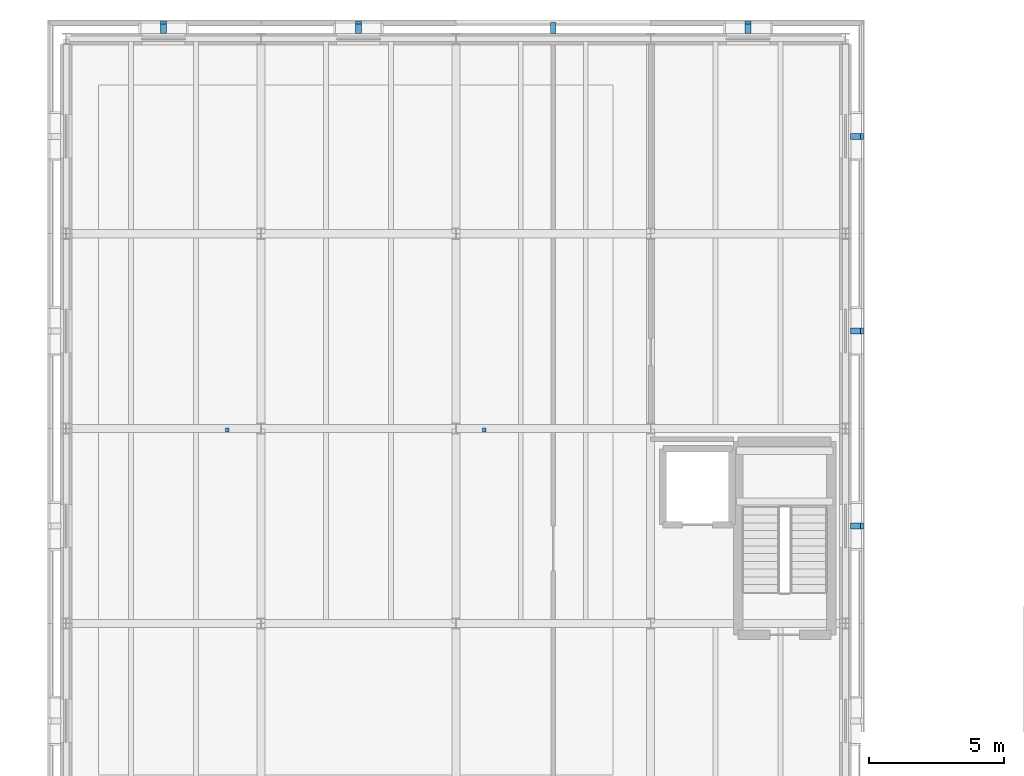
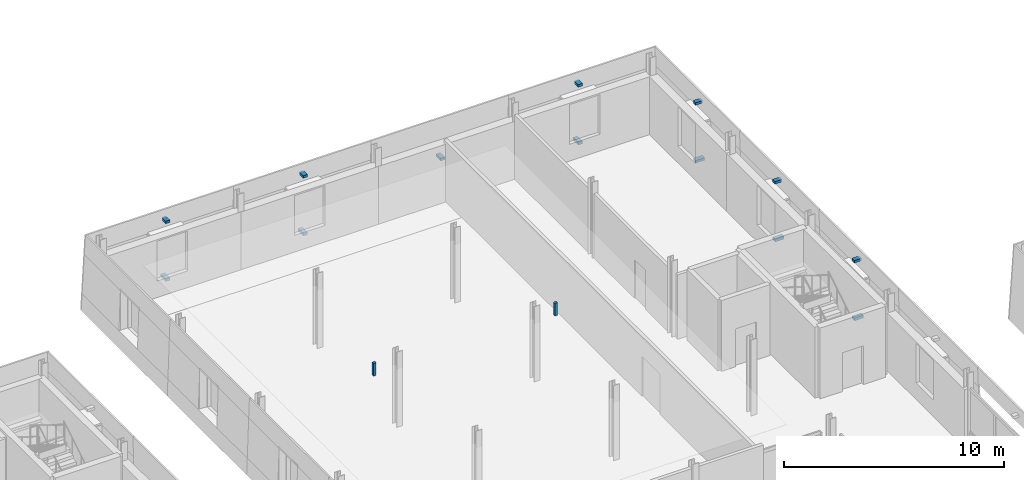
# One storey, part 84 of 115: 15 discrete accessories.
"""IFC4 building model written with IfcOpenShell, lengths in metres."""

from ifc_helpers import new_model, si_unit, direction, frame, origin, origin_2d, place, context, subcontext, project, spatial, rectangle, extrude, material, layer, layer_set, type_object, element, save


model = new_model("IFC4")

# Units and contexts
model_context = context("Model", 3, precision=1e-05, world=origin(), true_north=direction((0.0, 1.0)))
body_context = subcontext(model_context, "Body", "Model", "MODEL_VIEW")
ifc_project = project(units=[si_unit("LENGTHUNIT", "METRE"), si_unit("AREAUNIT", "SQUARE_METRE"), si_unit("VOLUMEUNIT", "CUBIC_METRE"), si_unit("PLANEANGLEUNIT", "RADIAN"), si_unit("MASSUNIT", "GRAM", prefix="KILO")], contexts=[model_context])

# Site, building, storey
site_placement = place(None, origin())
site = spatial("IfcSite", under=ifc_project, at=site_placement, CompositionType="ELEMENT")
building_placement = place(site_placement, origin())
building = spatial("IfcBuilding", under=site, at=building_placement, Name="Narikvali Park Central Library", CompositionType="ELEMENT")
storey_placement = place(building_placement, frame((0.0, 0.0, 10.199951171875)))
storey = spatial("IfcBuildingStorey", under=building, at=storey_placement, Name="L02", CompositionType="ELEMENT", Elevation=10.199951171875)

# Discrete accessories
ifc_material_1 = material(Name="Brushed Stainless Steel S355", Category="steel")
ifc_layer_1 = layer(ifc_material_1, 0.139892578125, Name="Brushed Stainless Steel S355")
ifc_layer_set_1 = layer_set([ifc_layer_1], Name="Brushed Stainless Steel S355")
discrete_accessory_type_1 = type_object("IfcDiscreteAccessoryType", Name="Cladding Stainless Tie-Back Corbel Bracket", PredefinedType="BRACKET", material=ifc_layer_set_1)
discrete_accessory_1_placement = place(storey_placement, frame((58.025390625, 97.199951171875, 0.39013671875), z_axis=(0.0, 0.0, 1.0), x_axis=(1.0, 0.0, 0.0)))
element("IfcDiscreteAccessory", 1, at=discrete_accessory_1_placement, inside=storey, type_object=discrete_accessory_type_1, Name="Limestone Cladding Tie-Back Bracket V4-CLD-L02-E-B07-SP", PredefinedType="BRACKET", context=body_context, shape_type="SweptSolid", body=[
    extrude(rectangle(XDim=0.470947265625, YDim=0.219970703125, at=origin_2d()), origin(), (0.0, 0.0, 1.0), 0.139892578125),
])
discrete_accessory_2_placement = place(storey_placement, frame((57.9716796875, 97.199951171875, 3.59033203125), z_axis=(0.0, 0.0, 1.0), x_axis=(1.0, 0.0, 0.0)))
element("IfcDiscreteAccessory", 2, at=discrete_accessory_2_placement, inside=storey, type_object=discrete_accessory_type_1, Name="Limestone Cladding Tie-Back Bracket V4-CLD-L02-E-B07-LN", PredefinedType="BRACKET", context=body_context, shape_type="SweptSolid", body=[
    extrude(rectangle(XDim=0.363037109375, YDim=0.219970703125, at=origin_2d()), origin(), (0.0, 0.0, 1.0), 0.139892578125),
])
discrete_accessory_3_placement = place(storey_placement, frame((58.025390625, 104.39990234375, 0.39013671875), z_axis=(0.0, 0.0, 1.0), x_axis=(1.0, 0.0, 0.0)))
element("IfcDiscreteAccessory", 3, at=discrete_accessory_3_placement, inside=storey, type_object=discrete_accessory_type_1, Name="Limestone Cladding Tie-Back Bracket V4-CLD-L02-E-B08-SP", PredefinedType="BRACKET", context=body_context, shape_type="SweptSolid", body=[
    extrude(rectangle(XDim=0.470947265625, YDim=0.219970703125, at=origin_2d()), origin(), (0.0, 0.0, 1.0), 0.139892578125),
])
discrete_accessory_4_placement = place(storey_placement, frame((57.9716796875, 104.39990234375, 3.59033203125), z_axis=(0.0, 0.0, 1.0), x_axis=(1.0, 0.0, 0.0)))
element("IfcDiscreteAccessory", 4, at=discrete_accessory_4_placement, inside=storey, type_object=discrete_accessory_type_1, Name="Limestone Cladding Tie-Back Bracket V4-CLD-L02-E-B08-LN", PredefinedType="BRACKET", context=body_context, shape_type="SweptSolid", body=[
    extrude(rectangle(XDim=0.363037109375, YDim=0.219970703125, at=origin_2d()), origin(), (0.0, 0.0, 1.0), 0.139892578125),
])
discrete_accessory_5_placement = place(storey_placement, frame((58.025390625, 111.60009765625, 0.39013671875), z_axis=(0.0, 0.0, 1.0), x_axis=(1.0, 0.0, 0.0)))
element("IfcDiscreteAccessory", 5, at=discrete_accessory_5_placement, inside=storey, type_object=discrete_accessory_type_1, Name="Limestone Cladding Tie-Back Bracket V4-CLD-L02-E-B09-SP", PredefinedType="BRACKET", context=body_context, shape_type="SweptSolid", body=[
    extrude(rectangle(XDim=0.470947265625, YDim=0.219970703125, at=origin_2d()), origin(), (0.0, 0.0, 1.0), 0.139892578125),
])
discrete_accessory_6_placement = place(storey_placement, frame((57.9716796875, 111.60009765625, 3.59033203125), z_axis=(0.0, 0.0, 1.0), x_axis=(1.0, 0.0, 0.0)))
element("IfcDiscreteAccessory", 6, at=discrete_accessory_6_placement, inside=storey, type_object=discrete_accessory_type_1, Name="Limestone Cladding Tie-Back Bracket V4-CLD-L02-E-B09-LN", PredefinedType="BRACKET", context=body_context, shape_type="SweptSolid", body=[
    extrude(rectangle(XDim=0.363037109375, YDim=0.219970703125, at=origin_2d()), origin(), (0.0, 0.0, 1.0), 0.139892578125),
])
discrete_accessory_7_placement = place(storey_placement, frame((54.0, 115.62548828125, 0.39013671875), z_axis=(0.0, 0.0, 1.0), x_axis=(1.0, 0.0, 0.0)))
element("IfcDiscreteAccessory", 7, at=discrete_accessory_7_placement, inside=storey, type_object=discrete_accessory_type_1, Name="Limestone Cladding Tie-Back Bracket V4-CLD-L02-N-B01-SP", PredefinedType="BRACKET", context=body_context, shape_type="SweptSolid", body=[
    extrude(rectangle(XDim=0.219970703125, YDim=0.470947265625, at=origin_2d()), origin(), (0.0, 0.0, 1.0), 0.139892578125),
])
discrete_accessory_8_placement = place(storey_placement, frame((54.0, 115.571533203125, 3.59033203125), z_axis=(0.0, 0.0, 1.0), x_axis=(1.0, 0.0, 0.0)))
element("IfcDiscreteAccessory", 8, at=discrete_accessory_8_placement, inside=storey, type_object=discrete_accessory_type_1, Name="Limestone Cladding Tie-Back Bracket V4-CLD-L02-N-B01-LN", PredefinedType="BRACKET", context=body_context, shape_type="SweptSolid", body=[
    extrude(rectangle(XDim=0.219970703125, YDim=0.363037109375, at=origin_2d()), origin(), (0.0, 0.0, 1.0), 0.139892578125),
])
discrete_accessory_9_placement = place(storey_placement, frame((46.800048828125, 115.597900390625, 2.0302734375), z_axis=(0.0, 0.0, 1.0), x_axis=(1.0, 0.0, 0.0)))
element("IfcDiscreteAccessory", 9, at=discrete_accessory_9_placement, inside=storey, type_object=discrete_accessory_type_1, Name="Limestone Cladding Tie-Back Bracket V4-CLD-L02-N-B02-FULL", PredefinedType="BRACKET", context=body_context, shape_type="SweptSolid", body=[
    extrude(rectangle(XDim=0.219970703125, YDim=0.415771484375, at=origin_2d()), origin(), (0.0, 0.0, 1.0), 0.139892578125),
])
discrete_accessory_10_placement = place(storey_placement, frame((39.60009765625, 115.62548828125, 0.39013671875), z_axis=(0.0, 0.0, 1.0), x_axis=(1.0, 0.0, 0.0)))
element("IfcDiscreteAccessory", 10, at=discrete_accessory_10_placement, inside=storey, type_object=discrete_accessory_type_1, Name="Limestone Cladding Tie-Back Bracket V4-CLD-L02-N-B03-SP", PredefinedType="BRACKET", context=body_context, shape_type="SweptSolid", body=[
    extrude(rectangle(XDim=0.219970703125, YDim=0.470947265625, at=origin_2d()), origin(), (0.0, 0.0, 1.0), 0.139892578125),
])
discrete_accessory_11_placement = place(storey_placement, frame((39.60009765625, 115.571533203125, 3.59033203125), z_axis=(0.0, 0.0, 1.0), x_axis=(1.0, 0.0, 0.0)))
element("IfcDiscreteAccessory", 11, at=discrete_accessory_11_placement, inside=storey, type_object=discrete_accessory_type_1, Name="Limestone Cladding Tie-Back Bracket V4-CLD-L02-N-B03-LN", PredefinedType="BRACKET", context=body_context, shape_type="SweptSolid", body=[
    extrude(rectangle(XDim=0.219970703125, YDim=0.363037109375, at=origin_2d()), origin(), (0.0, 0.0, 1.0), 0.139892578125),
])
discrete_accessory_12_placement = place(storey_placement, frame((32.39990234375, 115.62548828125, 0.39013671875), z_axis=(0.0, 0.0, 1.0), x_axis=(1.0, 0.0, 0.0)))
element("IfcDiscreteAccessory", 12, at=discrete_accessory_12_placement, inside=storey, type_object=discrete_accessory_type_1, Name="Limestone Cladding Tie-Back Bracket V4-CLD-L02-N-B04-SP", PredefinedType="BRACKET", context=body_context, shape_type="SweptSolid", body=[
    extrude(rectangle(XDim=0.219970703125, YDim=0.470947265625, at=origin_2d()), origin(), (0.0, 0.0, 1.0), 0.139892578125),
])
discrete_accessory_13_placement = place(storey_placement, frame((32.39990234375, 115.571533203125, 3.59033203125), z_axis=(0.0, 0.0, 1.0), x_axis=(1.0, 0.0, 0.0)))
element("IfcDiscreteAccessory", 13, at=discrete_accessory_13_placement, inside=storey, type_object=discrete_accessory_type_1, Name="Limestone Cladding Tie-Back Bracket V4-CLD-L02-N-B04-LN", PredefinedType="BRACKET", context=body_context, shape_type="SweptSolid", body=[
    extrude(rectangle(XDim=0.219970703125, YDim=0.363037109375, at=origin_2d()), origin(), (0.0, 0.0, 1.0), 0.139892578125),
])
ifc_material_2 = material(Name="Galvanised Steel S355", Category="steel")
ifc_layer_2 = layer(ifc_material_2, 0.7099609375, Name="Galvanised Steel S355")
ifc_layer_set_2 = layer_set([ifc_layer_2], Name="Galvanised Steel S355")
discrete_accessory_type_2 = type_object("IfcDiscreteAccessoryType", Name="Suspended Ceiling Hanger Rod Assembly", PredefinedType="BRACKET", material=ifc_layer_set_2)
for number, where, z_axis, x_axis, name in (
    (14, (34.75, 100.75, 3.22998046875), (0.0, 0.0, 1.0), (1.0, 0.0, 0.0), "V4 L02 Ceiling Suspension Hanger 06-1"),
    (15, (44.25, 100.75, 3.22998046875), (0.0, 0.0, 1.0), (1.0, 0.0, 0.0), "V4 L02 Ceiling Suspension Hanger 06-2"),
):
    element("IfcDiscreteAccessory", number, at=place(storey_placement, frame(where, z_axis=z_axis, x_axis=x_axis)), inside=storey, type_object=discrete_accessory_type_2, Name=name, PredefinedType="BRACKET", context=body_context, shape_type="SweptSolid", body=[
        extrude(rectangle(XDim=0.139892578125, YDim=0.139892578125, at=origin_2d()), origin(), (0.0, 0.0, 1.0), 0.7099609375),
    ])

save(model, "model.ifc")
